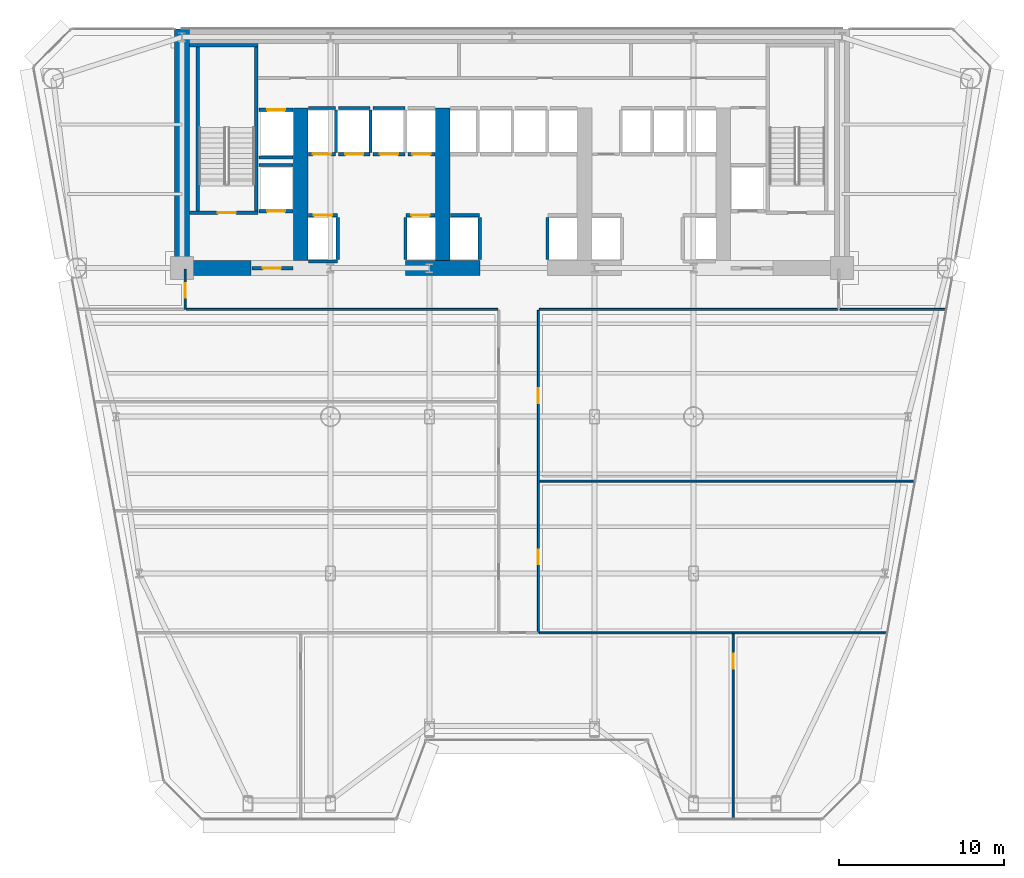
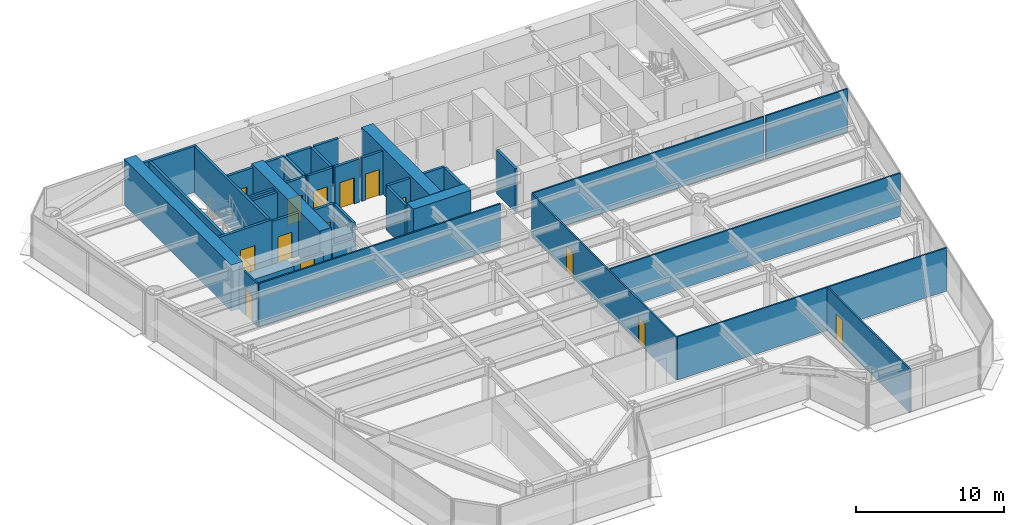
# One storey, part 8 of 14: 39 walls, 14 doors, 14 openings.
"""IFC4 building model written with IfcOpenShell, lengths in metres."""

from ifc_helpers import new_model, si_unit, direction, frame, frame_2d, origin, place, context, subcontext, project, spatial, rectangle, extrude, source, transform, mapped, material, layer, layer_set, type_object, element, fill, save


model = new_model("IFC4")

# Units and contexts
model_context = context("Model", 3, precision=1e-05, world=origin(), true_north=direction((0.0, 1.0)))
body_context = subcontext(model_context, "Body", "Model", "MODEL_VIEW")
ifc_project = project(units=[si_unit("LENGTHUNIT", "METRE"), si_unit("AREAUNIT", "SQUARE_METRE"), si_unit("VOLUMEUNIT", "CUBIC_METRE"), si_unit("PLANEANGLEUNIT", "RADIAN"), si_unit("MASSUNIT", "GRAM", prefix="KILO")], contexts=[model_context])

# Site, building, storey
site_placement = place(None, origin())
site = spatial("IfcSite", under=ifc_project, at=site_placement, CompositionType="ELEMENT")
building_placement = place(site_placement, origin())
building = spatial("IfcBuilding", under=site, at=building_placement, Name="Vaeldorn Concourse Tower", CompositionType="ELEMENT")
storey_placement = place(building_placement, frame((0.0, 0.0, 68.199951171875)))
storey = spatial("IfcBuildingStorey", under=building, at=storey_placement, Name="L17", CompositionType="ELEMENT", Elevation=68.199951171875)

# Walls
ifc_material_1 = material(Name="Concrete C60/75", Category="concrete")
ifc_layer_1 = layer(ifc_material_1, 0.89990234375)
ifc_layer_set_1 = layer_set([ifc_layer_1], Name="Concrete C60/75")
wall_type_1 = type_object("IfcWallType", Name="WL-CORE-900", PredefinedType="SHEAR", material=ifc_layer_set_1)
wall_1_placement = place(storey_placement, frame((14.0, 36.5, 0.0), z_axis=(0.0, 0.0, 1.0), x_axis=(0.0, 1.0, 0.0)))
element("IfcWall", 1, at=wall_1_placement, inside=storey, type_object=wall_type_1, Name="Rear Core Shear Wall L17 W1", PredefinedType="SHEAR", context=body_context, shape_type="SweptSolid", body=[
    extrude(rectangle(XDim=14.5, YDim=0.89990234375, at=frame_2d((7.25, 0.0))), origin(), (0.0, 0.0, 1.0), 3.800048828125),
])
wall_2_placement = place(storey_placement, frame((14.469970703125, 36.5, 0.0), z_axis=(0.0, 0.0, 1.0), x_axis=(1.0, 0.0, 0.0)))
element("IfcWall", 2, at=wall_2_placement, inside=storey, type_object=wall_type_1, Name="Rear Core Shear Wall L17 S1", PredefinedType="SHEAR", context=body_context, shape_type="SweptSolid", body=[
    extrude(rectangle(XDim=3.72998046875, YDim=0.89990234375, at=frame_2d((1.864990234375, 0.0))), origin(), (0.0, 0.0, 1.0), 2.380126953125),
])
wall_3_placement = place(storey_placement, frame((27.550048828125, 36.5, 0.0), z_axis=(0.0, 0.0, 1.0), x_axis=(1.0, 0.0, 0.0)))
element("IfcWall", 3, at=wall_3_placement, inside=storey, type_object=wall_type_1, Name="Rear Core Shear Wall L17 S2", PredefinedType="SHEAR", context=body_context, shape_type="SweptSolid", body=[
    extrude(rectangle(XDim=4.5, YDim=0.89990234375, at=frame_2d((2.25, 0.0))), origin(), (0.0, 0.0, 1.0), 3.800048828125),
])
for number, where, z_axis, x_axis, name in (
    (4, (21.199951171875, 36.969970703125, 0.0), (0.0, 0.0, 1.0), (0.0, 1.0, 0.0), "Rear Core Shear Wall L17 M1"),
    (5, (29.800048828125, 36.969970703125, 0.0), (0.0, 0.0, 1.0), (0.0, 1.0, 0.0), "Rear Core Shear Wall L17 M2"),
):
    element("IfcWall", number, at=place(storey_placement, frame(where, z_axis=z_axis, x_axis=x_axis)), inside=storey, type_object=wall_type_1, Name=name, PredefinedType="SHEAR", context=body_context, shape_type="SweptSolid", body=[
        extrude(rectangle(XDim=9.22998046875, YDim=0.89990234375, at=frame_2d((4.614990234375, 0.0))), origin(), (0.0, 0.0, 1.0), 3.800048828125),
    ])
ifc_material_2 = material(Name="Gypsum Board Partition", Category="gypsum")
ifc_layer_2 = layer(ifc_material_2, 0.1201171875)
ifc_layer_set_2 = layer_set([ifc_layer_2], Name="Gypsum Board Partition")
wall_type_2 = type_object("IfcWallType", Name="WL-PART-120", PredefinedType="PARTITIONING", material=ifc_layer_set_2)
wall_4_placement = place(storey_placement, frame((14.260009765625, 34.0, 0.0), z_axis=(0.0, 0.0, 1.0), x_axis=(1.0, 0.0, 0.0)))
element("IfcWall", 6, at=wall_4_placement, inside=storey, type_object=wall_type_2, Name="Interior Wall PW-L17-C3SW", PredefinedType="PARTITIONING", context=body_context, shape_type="SweptSolid", body=[
    extrude(rectangle(XDim=18.8798828125, YDim=0.1201171875, at=frame_2d((9.43994140625, 0.0))), origin(), (0.0, 0.0, 1.0), 3.580078125),
])
wall_5_placement = place(storey_placement, frame((35.659912109375, 34.0, 0.0), z_axis=(0.0, 0.0, 1.0), x_axis=(1.0, 0.0, 0.0)))
element("IfcWall", 7, at=wall_5_placement, inside=storey, type_object=wall_type_2, Name="Interior Wall PW-L17-C3SE", PredefinedType="PARTITIONING", context=body_context, shape_type="SweptSolid", body=[
    extrude(rectangle(XDim=18.080078125, YDim=0.1201171875, at=frame_2d((9.0400390625, 0.0))), origin(), (0.0, 0.0, 1.0), 3.580078125),
])

# Wall, opening, door
wall_6_placement = place(storey_placement, frame((14.199951171875, 34.0, 0.0), z_axis=(0.0, 0.0, 1.0), x_axis=(0.0, 1.0, 0.0)))
wall_6 = element("IfcWall", 8, at=wall_6_placement, inside=storey, type_object=wall_type_2, Name="Interior Wall PW-L17-C3W", PredefinedType="PARTITIONING", context=body_context, shape_type="SweptSolid", body=[
    extrude(rectangle(XDim=2.43994140625, YDim=0.1201171875, at=frame_2d((1.219970703125, 0.0))), origin(), (0.0, 0.0, 1.0), 3.580078125),
])
opening_1_placement = place(wall_6_placement, frame((0.699951171875, 0.0, 0.0)))
opening_1 = element("IfcOpeningElement", 9, at=opening_1_placement, cuts=wall_6, Name="Opening D-03", PredefinedType="OPENING", context=body_context, shape_type="SweptSolid", body=[
    extrude(rectangle(XDim=0.89990234375, YDim=2.14990234375, at=frame_2d((0.449951171875, 1.074951171875))), frame((0.0, 0.070068359375, 0.0), z_axis=(0.0, -1.0, 0.0), x_axis=(1.0, 0.0, 0.0)), (0.0, 0.0, 1.0), 0.14013671875),
])
ifc_material_3 = material(Name="Acoustic Bronze-Framed Glass Door", Category="glass")
door_type_1 = type_object("IfcDoorType", Name="DR-INT-900", OperationType="NOTDEFINED", PredefinedType="DOOR", material=ifc_material_3)
shared_shape_1 = source(origin(), body_context, "Body", "SweptSolid", [
    extrude(rectangle(XDim=0.89990234375, YDim=2.14990234375, at=frame_2d((0.449951171875, 1.074951171875))), frame((0.0, 0.02490234375, 0.0), z_axis=(0.0, -1.0, 0.0), x_axis=(1.0, 0.0, 0.0)), (0.0, 0.0, 1.0), 0.050048828125),
])
door_1_placement = place(opening_1_placement, origin())
door_1 = element("IfcDoor", 10, at=door_1_placement, inside=storey, type_object=door_type_1, Name="Interior Door DR-L17-Z3NW", OperationType="SINGLE_SWING_LEFT", OverallHeight=2.14990234375, OverallWidth=0.89990234375, PredefinedType="DOOR", context=body_context, shape_type="MappedRepresentation", body=[
    mapped(shared_shape_1, transform((0.0, 0.0, 0.0), scale=1.0)),
])
fill(opening_1, door_1)

# Wall, openings, doors
wall_7_placement = place(storey_placement, frame((35.60009765625, 14.39990234375, 0.0), z_axis=(0.0, 0.0, 1.0), x_axis=(0.0, 1.0, 0.0)))
wall_7 = element("IfcWall", 11, at=wall_7_placement, inside=storey, type_object=wall_type_2, Name="Interior Wall PW-L17-CSPE", PredefinedType="PARTITIONING", context=body_context, shape_type="SweptSolid", body=[
    extrude(rectangle(XDim=19.5400390625, YDim=0.1201171875, at=frame_2d((9.77001953125, 0.0))), origin(), (0.0, 0.0, 1.0), 3.580078125),
])
opening_2_placement = place(wall_7_placement, frame((4.14990234375, 0.0, 0.0)))
opening_2 = element("IfcOpeningElement", 12, at=opening_2_placement, cuts=wall_7, Name="Opening D-03", PredefinedType="OPENING", context=body_context, shape_type="SweptSolid", body=[
    extrude(rectangle(XDim=0.89990234375, YDim=2.14990234375, at=frame_2d((0.449951171875, 1.074951171875))), frame((0.0, 0.070068359375, 0.0), z_axis=(0.0, -1.0, 0.0), x_axis=(1.0, 0.0, 0.0)), (0.0, 0.0, 1.0), 0.14013671875),
])
opening_3_placement = place(wall_7_placement, frame((13.919921875, 0.0, 0.0)))
opening_3 = element("IfcOpeningElement", 13, at=opening_3_placement, cuts=wall_7, Name="Opening D-03", PredefinedType="OPENING", context=body_context, shape_type="SweptSolid", body=[
    extrude(rectangle(XDim=0.89990234375, YDim=2.14990234375, at=frame_2d((0.449951171875, 1.074951171875))), frame((0.0, 0.070068359375, 0.0), z_axis=(0.0, -1.0, 0.0), x_axis=(1.0, 0.0, 0.0)), (0.0, 0.0, 1.0), 0.14013671875),
])
door_2_placement = place(opening_2_placement, origin())
door_2 = element("IfcDoor", 14, at=door_2_placement, inside=storey, type_object=door_type_1, Name="Interior Door DR-L17-Z3E1", OperationType="SINGLE_SWING_RIGHT", OverallHeight=2.14990234375, OverallWidth=0.89990234375, PredefinedType="DOOR", context=body_context, shape_type="MappedRepresentation", body=[
    mapped(shared_shape_1, transform((0.0, 0.0, 0.0), scale=1.0)),
])
fill(opening_2, door_2)
door_3_placement = place(opening_3_placement, origin())
door_3 = element("IfcDoor", 15, at=door_3_placement, inside=storey, type_object=door_type_1, Name="Interior Door DR-L17-Z3E2", OperationType="SINGLE_SWING_LEFT", OverallHeight=2.14990234375, OverallWidth=0.89990234375, PredefinedType="DOOR", context=body_context, shape_type="MappedRepresentation", body=[
    mapped(shared_shape_1, transform((0.0, 0.0, 0.0), scale=1.0)),
])
fill(opening_3, door_3)

# Walls
wall_8_placement = place(storey_placement, frame((53.860107421875, 34.0, 0.0), z_axis=(0.0, 0.0, 1.0), x_axis=(1.0, 0.0, 0.0)))
element("IfcWall", 16, at=wall_8_placement, inside=storey, type_object=wall_type_2, Name="Interior Wall PW-L17-Z3NEB", PredefinedType="PARTITIONING", context=body_context, shape_type="SweptSolid", body=[
    extrude(rectangle(XDim=6.416748046875, YDim=0.1201171875, at=frame_2d((3.20849609375, 0.0))), origin(), (0.0, 0.0, 1.0), 3.580078125),
])
wall_9_placement = place(storey_placement, frame((35.659912109375, 23.60009765625, 0.0), z_axis=(0.0, 0.0, 1.0), x_axis=(1.0, 0.0, 0.0)))
element("IfcWall", 17, at=wall_9_placement, inside=storey, type_object=wall_type_2, Name="Interior Wall PW-L17-Z3EY1", PredefinedType="PARTITIONING", context=body_context, shape_type="SweptSolid", body=[
    extrude(rectangle(XDim=22.718505859375, YDim=0.1201171875, at=frame_2d((11.359375, 0.0))), origin(), (0.0, 0.0, 1.0), 3.580078125),
])
wall_10_placement = place(storey_placement, frame((35.659912109375, 14.39990234375, 0.0), z_axis=(0.0, 0.0, 1.0), x_axis=(1.0, 0.0, 0.0)))
element("IfcWall", 18, at=wall_10_placement, inside=storey, type_object=wall_type_2, Name="Interior Wall PW-L17-Z3SEL", PredefinedType="PARTITIONING", context=body_context, shape_type="SweptSolid", body=[
    extrude(rectangle(XDim=21.039306640625, YDim=0.1201171875, at=frame_2d((10.51953125, 0.0))), origin(), (0.0, 0.0, 1.0), 3.580078125),
])

# Wall, opening, door
wall_11_placement = place(storey_placement, frame((47.39990234375, 3.14794921875, 0.0), z_axis=(0.0, 0.0, 1.0), x_axis=(0.0, 1.0, 0.0)))
wall_11 = element("IfcWall", 19, at=wall_11_placement, inside=storey, type_object=wall_type_2, Name="Interior Wall PW-L17-Z3SX2", PredefinedType="PARTITIONING", context=body_context, shape_type="SweptSolid", body=[
    extrude(rectangle(XDim=11.192138671875, YDim=0.1201171875, at=frame_2d((5.59619140625, 0.0))), origin(), (0.0, 0.0, 1.0), 3.580078125),
])
opening_4_placement = place(wall_11_placement, frame((9.092041015625, 0.0, 0.0)))
opening_4 = element("IfcOpeningElement", 20, at=opening_4_placement, cuts=wall_11, Name="Opening D-03", PredefinedType="OPENING", context=body_context, shape_type="SweptSolid", body=[
    extrude(rectangle(XDim=0.89990234375, YDim=2.14990234375, at=frame_2d((0.449951171875, 1.074951171875))), frame((0.0, 0.070068359375, 0.0), z_axis=(0.0, -1.0, 0.0), x_axis=(1.0, 0.0, 0.0)), (0.0, 0.0, 1.0), 0.14013671875),
])
door_4_placement = place(opening_4_placement, origin())
door_4 = element("IfcDoor", 21, at=door_4_placement, inside=storey, type_object=door_type_1, Name="Interior Door DR-L17-Z3SX2", OperationType="SINGLE_SWING_LEFT", OverallHeight=2.14990234375, OverallWidth=0.89990234375, PredefinedType="DOOR", context=body_context, shape_type="MappedRepresentation", body=[
    mapped(shared_shape_1, transform((0.0, 0.0, 0.0), scale=1.0)),
])
fill(opening_4, door_4)

ifc_material_4 = material(Name="Concrete C50/60", Category="concrete")
ifc_layer_3 = layer(ifc_material_4, 0.199951171875)
ifc_layer_set_3 = layer_set([ifc_layer_3], Name="Concrete C50/60")
wall_type_3 = type_object("IfcWallType", Name="WL-SHAFT-200", PredefinedType="SOLIDWALL", material=ifc_layer_set_3)
wall_12_placement = place(storey_placement, frame((14.449951171875, 39.85009765625, 0.0), z_axis=(0.0, 0.0, 1.0), x_axis=(1.0, 0.0, 0.0)))
wall_12 = element("IfcWall", 22, at=wall_12_placement, inside=storey, type_object=wall_type_3, Name="Stair Shaft Wall CW-L17-ST-1-S", PredefinedType="SOLIDWALL", context=body_context, shape_type="SweptSolid", body=[
    extrude(rectangle(XDim=4.150146484375, YDim=0.199951171875, at=frame_2d((2.0751953125, 0.0))), origin(), (0.0, 0.0, 1.0), 3.800048828125),
])
opening_5_placement = place(wall_12_placement, frame((1.72509765625, 0.0, 0.0)))
opening_5 = element("IfcOpeningElement", 23, at=opening_5_placement, cuts=wall_12, Name="Opening D-01", PredefinedType="OPENING", context=body_context, shape_type="SweptSolid", body=[
    extrude(rectangle(XDim=1.10009765625, YDim=2.14990234375, at=frame_2d((0.550048828125, 1.074951171875))), frame((0.0, 0.10986328125, 0.0), z_axis=(0.0, -1.0, 0.0), x_axis=(1.0, 0.0, 0.0)), (0.0, 0.0, 1.0), 0.219970703125),
])
ifc_material_5 = material(Name="Fire-Rated Timber and Steel Leaf", Category="steel")
door_type_2 = type_object("IfcDoorType", Name="DR-FD60-1100", OperationType="NOTDEFINED", PredefinedType="DOOR", material=ifc_material_5)
shared_shape_2 = source(origin(), body_context, "Body", "SweptSolid", [
    extrude(rectangle(XDim=1.10009765625, YDim=2.14990234375, at=frame_2d((0.550048828125, 1.074951171875))), frame((0.0, 0.02490234375, 0.0), z_axis=(0.0, -1.0, 0.0), x_axis=(1.0, 0.0, 0.0)), (0.0, 0.0, 1.0), 0.050048828125),
])
door_5_placement = place(opening_5_placement, origin())
door_5 = element("IfcDoor", 24, at=door_5_placement, inside=storey, type_object=door_type_2, Name="Interior Door DR-L17-ST-1", OperationType="SINGLE_SWING_LEFT", OverallHeight=2.14990234375, OverallWidth=1.10009765625, PredefinedType="DOOR", context=body_context, shape_type="MappedRepresentation", body=[
    mapped(shared_shape_2, transform((0.0, 0.0, 0.0), scale=1.0)),
])
fill(opening_5, door_5)

# Walls
wall_13_placement = place(storey_placement, frame((14.449951171875, 50.0, 0.0), z_axis=(0.0, 0.0, 1.0), x_axis=(1.0, 0.0, 0.0)))
element("IfcWall", 25, at=wall_13_placement, inside=storey, type_object=wall_type_3, Name="Stair Shaft Wall CW-L17-ST-1-N", PredefinedType="SOLIDWALL", context=body_context, shape_type="SweptSolid", body=[
    extrude(rectangle(XDim=4.150146484375, YDim=0.199951171875, at=frame_2d((2.0751953125, 0.0))), origin(), (0.0, 0.0, 1.0), 3.800048828125),
])
for number, where, z_axis, x_axis, name in (
    (26, (14.949951171875, 39.9599609375, 0.0), (0.0, 0.0, 1.0), (0.0, 1.0, 0.0), "Stair Shaft Wall CW-L17-ST-1-W"),
    (27, (18.5, 39.9599609375, 0.0), (0.0, 0.0, 1.0), (0.0, 1.0, 0.0), "Stair Shaft Wall CW-L17-ST-1-E"),
):
    element("IfcWall", number, at=place(storey_placement, frame(where, z_axis=z_axis, x_axis=x_axis)), inside=storey, type_object=wall_type_3, Name=name, PredefinedType="SOLIDWALL", context=body_context, shape_type="SweptSolid", body=[
        extrude(rectangle(XDim=9.929931640625, YDim=0.199951171875, at=frame_2d((4.96484375, 0.0))), origin(), (0.0, 0.0, 1.0), 3.800048828125),
    ])

# Wall, opening, door
wall_14_placement = place(storey_placement, frame((18.25, 36.5, 0.0), z_axis=(0.0, 0.0, 1.0), x_axis=(1.0, 0.0, 0.0)))
wall_14 = element("IfcWall", 28, at=wall_14_placement, inside=storey, type_object=wall_type_3, Name="Interior Wall CW-L17-FF1S", PredefinedType="SOLIDWALL", context=body_context, shape_type="SweptSolid", body=[
    extrude(rectangle(XDim=2.469970703125, YDim=0.199951171875, at=frame_2d((1.23486328125, 0.0))), origin(), (0.0, 0.0, 1.0), 2.3701171875),
])
opening_6_placement = place(wall_14_placement, frame((0.64990234375, 0.0, 0.0)))
opening_6 = element("IfcOpeningElement", 29, at=opening_6_placement, cuts=wall_14, Name="Opening D-01", PredefinedType="OPENING", context=body_context, shape_type="SweptSolid", body=[
    extrude(rectangle(XDim=1.10009765625, YDim=2.14990234375, at=frame_2d((0.550048828125, 1.074951171875))), frame((0.0, 0.10986328125, 0.0), z_axis=(0.0, -1.0, 0.0), x_axis=(1.0, 0.0, 0.0)), (0.0, 0.0, 1.0), 0.219970703125),
])
door_6_placement = place(opening_6_placement, origin())
door_6 = element("IfcDoor", 30, at=door_6_placement, inside=storey, type_object=door_type_2, Name="Interior Door DR-L17-FF1E", OperationType="SINGLE_SWING_RIGHT", OverallHeight=2.14990234375, OverallWidth=1.10009765625, PredefinedType="DOOR", context=body_context, shape_type="MappedRepresentation", body=[
    mapped(shared_shape_2, transform((0.0, 0.0, 0.0), scale=1.0)),
])
fill(opening_6, door_6)

wall_15_placement = place(storey_placement, frame((21.659912109375, 39.699951171875, 0.0), z_axis=(0.0, 0.0, 1.0), x_axis=(1.0, 0.0, 0.0)))
wall_15 = element("IfcWall", 31, at=wall_15_placement, inside=storey, type_object=wall_type_3, Name="Interior Wall CW-L17-LF-LF-01", PredefinedType="SOLIDWALL", context=body_context, shape_type="SweptSolid", body=[
    extrude(rectangle(XDim=1.77001953125, YDim=0.199951171875, at=frame_2d((0.885009765625, 0.0))), origin(), (0.0, 0.0, 1.0), 3.580078125),
])
opening_7_placement = place(wall_15_placement, frame((0.3349609375, 0.0, 0.0)))
opening_7 = element("IfcOpeningElement", 32, at=opening_7_placement, cuts=wall_15, Name="Opening LD-1", PredefinedType="OPENING", context=body_context, shape_type="SweptSolid", body=[
    extrude(rectangle(XDim=1.10009765625, YDim=2.14990234375, at=frame_2d((0.550048828125, 1.074951171875))), frame((0.0, 0.10986328125, 0.0), z_axis=(0.0, -1.0, 0.0), x_axis=(1.0, 0.0, 0.0)), (0.0, 0.0, 1.0), 0.219970703125),
])
ifc_material_6 = material(Name="Anodised Bronze Aluminium", Category="aluminium")
door_type_3 = type_object("IfcDoorType", Name="DR-LIFT-SLIDE-1100", OperationType="DOUBLE_DOOR_SLIDING", PredefinedType="DOOR", material=ifc_material_6)
door_7_placement = place(opening_7_placement, origin())
door_7 = element("IfcDoor", 33, at=door_7_placement, inside=storey, type_object=door_type_3, Name="Lift Landing Door LD-L17-LF-01", OperationType="DOUBLE_DOOR_SLIDING", OverallHeight=2.14990234375, OverallWidth=1.10009765625, PredefinedType="DOOR", context=body_context, shape_type="MappedRepresentation", body=[
    mapped(shared_shape_2, transform((0.0, 0.0, 0.0), scale=1.0)),
])
fill(opening_7, door_7)

# Walls
wall_16_placement = place(storey_placement, frame((21.659912109375, 36.89990234375, 0.0), z_axis=(0.0, 0.0, 1.0), x_axis=(1.0, 0.0, 0.0)))
element("IfcWall", 34, at=wall_16_placement, inside=storey, type_object=wall_type_3, Name="Interior Wall CW-L17-LFB-LF-01", PredefinedType="SOLIDWALL", context=body_context, shape_type="SweptSolid", body=[
    extrude(rectangle(XDim=1.77001953125, YDim=0.199951171875, at=frame_2d((0.885009765625, 0.0))), origin(), (0.0, 0.0, 1.0), 2.3701171875),
])
wall_17_placement = place(storey_placement, frame((23.449951171875, 37.02001953125, 0.0), z_axis=(0.0, 0.0, 1.0), x_axis=(0.0, 1.0, 0.0)))
element("IfcWall", 35, at=wall_17_placement, inside=storey, type_object=wall_type_3, Name="Interior Wall CW-L17-LFE-LF-01", PredefinedType="SOLIDWALL", context=body_context, shape_type="SweptSolid", body=[
    extrude(rectangle(XDim=2.56005859375, YDim=0.199951171875, at=frame_2d((1.280029296875, 0.0))), origin(), (0.0, 0.0, 1.0), 3.580078125),
])

# Wall, opening, door
wall_18_placement = place(storey_placement, frame((27.570068359375, 39.699951171875, 0.0), z_axis=(0.0, 0.0, 1.0), x_axis=(1.0, 0.0, 0.0)))
wall_18 = element("IfcWall", 36, at=wall_18_placement, inside=storey, type_object=wall_type_3, Name="Interior Wall CW-L17-LF-LF-02", PredefinedType="SOLIDWALL", context=body_context, shape_type="SweptSolid", body=[
    extrude(rectangle(XDim=1.77001953125, YDim=0.199951171875, at=frame_2d((0.885009765625, 0.0))), origin(), (0.0, 0.0, 1.0), 3.580078125),
])
opening_8_placement = place(wall_18_placement, frame((0.3349609375, 0.0, 0.0)))
opening_8 = element("IfcOpeningElement", 37, at=opening_8_placement, cuts=wall_18, Name="Opening LD-1", PredefinedType="OPENING", context=body_context, shape_type="SweptSolid", body=[
    extrude(rectangle(XDim=1.10009765625, YDim=2.14990234375, at=frame_2d((0.550048828125, 1.074951171875))), frame((0.0, 0.10986328125, 0.0), z_axis=(0.0, -1.0, 0.0), x_axis=(1.0, 0.0, 0.0)), (0.0, 0.0, 1.0), 0.219970703125),
])
door_8_placement = place(opening_8_placement, origin())
door_8 = element("IfcDoor", 38, at=door_8_placement, inside=storey, type_object=door_type_3, Name="Lift Landing Door LD-L17-LF-02", OperationType="DOUBLE_DOOR_SLIDING", OverallHeight=2.14990234375, OverallWidth=1.10009765625, PredefinedType="DOOR", context=body_context, shape_type="MappedRepresentation", body=[
    mapped(shared_shape_2, transform((0.0, 0.0, 0.0), scale=1.0)),
])
fill(opening_8, door_8)

# Wall
wall_19_placement = place(storey_placement, frame((27.550048828125, 37.02001953125, 0.0), z_axis=(0.0, 0.0, 1.0), x_axis=(0.0, 1.0, 0.0)))
element("IfcWall", 39, at=wall_19_placement, inside=storey, type_object=wall_type_3, Name="Interior Wall CW-L17-LFW-LF-02", PredefinedType="SOLIDWALL", context=body_context, shape_type="SweptSolid", body=[
    extrude(rectangle(XDim=2.56005859375, YDim=0.199951171875, at=frame_2d((1.280029296875, 0.0))), origin(), (0.0, 0.0, 1.0), 3.580078125),
])

# Wall, opening, door
wall_20_placement = place(storey_placement, frame((21.659912109375, 43.39990234375, 0.0), z_axis=(0.0, 0.0, 1.0), x_axis=(1.0, 0.0, 0.0)))
wall_20 = element("IfcWall", 40, at=wall_20_placement, inside=storey, type_object=wall_type_3, Name="Interior Wall CW-L17-LF-LF-03", PredefinedType="SOLIDWALL", context=body_context, shape_type="SweptSolid", body=[
    extrude(rectangle(XDim=1.650146484375, YDim=0.199951171875, at=frame_2d((0.8251953125, 0.0))), origin(), (0.0, 0.0, 1.0), 3.580078125),
])
opening_9_placement = place(wall_20_placement, frame((0.27490234375, 0.0, 0.0)))
opening_9 = element("IfcOpeningElement", 41, at=opening_9_placement, cuts=wall_20, Name="Opening LD-1", PredefinedType="OPENING", context=body_context, shape_type="SweptSolid", body=[
    extrude(rectangle(XDim=1.10009765625, YDim=2.14990234375, at=frame_2d((0.550048828125, 1.074951171875))), frame((0.0, 0.10986328125, 0.0), z_axis=(0.0, -1.0, 0.0), x_axis=(1.0, 0.0, 0.0)), (0.0, 0.0, 1.0), 0.219970703125),
])
door_9_placement = place(opening_9_placement, origin())
door_9 = element("IfcDoor", 42, at=door_9_placement, inside=storey, type_object=door_type_3, Name="Lift Landing Door LD-L17-LF-03", OperationType="DOUBLE_DOOR_SLIDING", OverallHeight=2.14990234375, OverallWidth=1.10009765625, PredefinedType="DOOR", context=body_context, shape_type="MappedRepresentation", body=[
    mapped(shared_shape_2, transform((0.0, 0.0, 0.0), scale=1.0)),
])
fill(opening_9, door_9)

# Walls
wall_21_placement = place(storey_placement, frame((21.659912109375, 46.199951171875, 0.0), z_axis=(0.0, 0.0, 1.0), x_axis=(1.0, 0.0, 0.0)))
element("IfcWall", 43, at=wall_21_placement, inside=storey, type_object=wall_type_3, Name="Interior Wall CW-L17-LFB-LF-03", PredefinedType="SOLIDWALL", context=body_context, shape_type="SweptSolid", body=[
    extrude(rectangle(XDim=1.650146484375, YDim=0.199951171875, at=frame_2d((0.8251953125, 0.0))), origin(), (0.0, 0.0, 1.0), 3.580078125),
])
wall_22_placement = place(storey_placement, frame((23.330078125, 43.52001953125, 0.0), z_axis=(0.0, 0.0, 1.0), x_axis=(0.0, 1.0, 0.0)))
element("IfcWall", 44, at=wall_22_placement, inside=storey, type_object=wall_type_3, Name="Interior Wall CW-L17-LFE-LF-03", PredefinedType="SOLIDWALL", context=body_context, shape_type="SweptSolid", body=[
    extrude(rectangle(XDim=2.56005859375, YDim=0.199951171875, at=frame_2d((1.280029296875, 0.0))), origin(), (0.0, 0.0, 1.0), 3.580078125),
])

# Wall, opening, door
wall_23_placement = place(storey_placement, frame((23.489990234375, 43.39990234375, 0.0), z_axis=(0.0, 0.0, 1.0), x_axis=(1.0, 0.0, 0.0)))
wall_23 = element("IfcWall", 45, at=wall_23_placement, inside=storey, type_object=wall_type_3, Name="Interior Wall CW-L17-LF-LF-04", PredefinedType="SOLIDWALL", context=body_context, shape_type="SweptSolid", body=[
    extrude(rectangle(XDim=1.919921875, YDim=0.199951171875, at=frame_2d((0.9599609375, 0.0))), origin(), (0.0, 0.0, 1.0), 3.580078125),
])
opening_10_placement = place(wall_23_placement, frame((0.409912109375, 0.0, 0.0)))
opening_10 = element("IfcOpeningElement", 46, at=opening_10_placement, cuts=wall_23, Name="Opening LD-1", PredefinedType="OPENING", context=body_context, shape_type="SweptSolid", body=[
    extrude(rectangle(XDim=1.10009765625, YDim=2.14990234375, at=frame_2d((0.550048828125, 1.074951171875))), frame((0.0, 0.10986328125, 0.0), z_axis=(0.0, -1.0, 0.0), x_axis=(1.0, 0.0, 0.0)), (0.0, 0.0, 1.0), 0.219970703125),
])
door_10_placement = place(opening_10_placement, origin())
door_10 = element("IfcDoor", 47, at=door_10_placement, inside=storey, type_object=door_type_3, Name="Lift Landing Door LD-L17-LF-04", OperationType="DOUBLE_DOOR_SLIDING", OverallHeight=2.14990234375, OverallWidth=1.10009765625, PredefinedType="DOOR", context=body_context, shape_type="MappedRepresentation", body=[
    mapped(shared_shape_2, transform((0.0, 0.0, 0.0), scale=1.0)),
])
fill(opening_10, door_10)

# Walls
wall_24_placement = place(storey_placement, frame((23.489990234375, 46.199951171875, 0.0), z_axis=(0.0, 0.0, 1.0), x_axis=(1.0, 0.0, 0.0)))
element("IfcWall", 48, at=wall_24_placement, inside=storey, type_object=wall_type_3, Name="Interior Wall CW-L17-LFB-LF-04", PredefinedType="SOLIDWALL", context=body_context, shape_type="SweptSolid", body=[
    extrude(rectangle(XDim=1.919921875, YDim=0.199951171875, at=frame_2d((0.9599609375, 0.0))), origin(), (0.0, 0.0, 1.0), 3.580078125),
])
wall_25_placement = place(storey_placement, frame((25.429931640625, 43.52001953125, 0.0), z_axis=(0.0, 0.0, 1.0), x_axis=(0.0, 1.0, 0.0)))
element("IfcWall", 49, at=wall_25_placement, inside=storey, type_object=wall_type_3, Name="Interior Wall CW-L17-LFE-LF-04", PredefinedType="SOLIDWALL", context=body_context, shape_type="SweptSolid", body=[
    extrude(rectangle(XDim=2.56005859375, YDim=0.199951171875, at=frame_2d((1.280029296875, 0.0))), origin(), (0.0, 0.0, 1.0), 3.580078125),
])

# Wall, opening, door
wall_26_placement = place(storey_placement, frame((25.590087890625, 43.39990234375, 0.0), z_axis=(0.0, 0.0, 1.0), x_axis=(1.0, 0.0, 0.0)))
wall_26 = element("IfcWall", 50, at=wall_26_placement, inside=storey, type_object=wall_type_3, Name="Interior Wall CW-L17-LF-LF-05", PredefinedType="SOLIDWALL", context=body_context, shape_type="SweptSolid", body=[
    extrude(rectangle(XDim=1.919921875, YDim=0.199951171875, at=frame_2d((0.9599609375, 0.0))), origin(), (0.0, 0.0, 1.0), 3.580078125),
])
opening_11_placement = place(wall_26_placement, frame((0.409912109375, 0.0, 0.0)))
opening_11 = element("IfcOpeningElement", 51, at=opening_11_placement, cuts=wall_26, Name="Opening LD-1", PredefinedType="OPENING", context=body_context, shape_type="SweptSolid", body=[
    extrude(rectangle(XDim=1.10009765625, YDim=2.14990234375, at=frame_2d((0.550048828125, 1.074951171875))), frame((0.0, 0.10986328125, 0.0), z_axis=(0.0, -1.0, 0.0), x_axis=(1.0, 0.0, 0.0)), (0.0, 0.0, 1.0), 0.219970703125),
])
door_11_placement = place(opening_11_placement, origin())
door_11 = element("IfcDoor", 52, at=door_11_placement, inside=storey, type_object=door_type_3, Name="Lift Landing Door LD-L17-LF-05", OperationType="DOUBLE_DOOR_SLIDING", OverallHeight=2.14990234375, OverallWidth=1.10009765625, PredefinedType="DOOR", context=body_context, shape_type="MappedRepresentation", body=[
    mapped(shared_shape_2, transform((0.0, 0.0, 0.0), scale=1.0)),
])
fill(opening_11, door_11)

# Wall
wall_27_placement = place(storey_placement, frame((25.590087890625, 46.199951171875, 0.0), z_axis=(0.0, 0.0, 1.0), x_axis=(1.0, 0.0, 0.0)))
element("IfcWall", 53, at=wall_27_placement, inside=storey, type_object=wall_type_3, Name="Interior Wall CW-L17-LFB-LF-05", PredefinedType="SOLIDWALL", context=body_context, shape_type="SweptSolid", body=[
    extrude(rectangle(XDim=1.919921875, YDim=0.199951171875, at=frame_2d((0.9599609375, 0.0))), origin(), (0.0, 0.0, 1.0), 3.580078125),
])

# Wall, opening, door
wall_28_placement = place(storey_placement, frame((27.68994140625, 43.39990234375, 0.0), z_axis=(0.0, 0.0, 1.0), x_axis=(1.0, 0.0, 0.0)))
wall_28 = element("IfcWall", 54, at=wall_28_placement, inside=storey, type_object=wall_type_3, Name="Interior Wall CW-L17-LF-LF-06", PredefinedType="SOLIDWALL", context=body_context, shape_type="SweptSolid", body=[
    extrude(rectangle(XDim=1.650146484375, YDim=0.199951171875, at=frame_2d((0.8251953125, 0.0))), origin(), (0.0, 0.0, 1.0), 3.580078125),
])
opening_12_placement = place(wall_28_placement, frame((0.27490234375, 0.0, 0.0)))
opening_12 = element("IfcOpeningElement", 55, at=opening_12_placement, cuts=wall_28, Name="Opening LD-1", PredefinedType="OPENING", context=body_context, shape_type="SweptSolid", body=[
    extrude(rectangle(XDim=1.10009765625, YDim=2.14990234375, at=frame_2d((0.550048828125, 1.074951171875))), frame((0.0, 0.10986328125, 0.0), z_axis=(0.0, -1.0, 0.0), x_axis=(1.0, 0.0, 0.0)), (0.0, 0.0, 1.0), 0.219970703125),
])
door_12_placement = place(opening_12_placement, origin())
door_12 = element("IfcDoor", 56, at=door_12_placement, inside=storey, type_object=door_type_3, Name="Lift Landing Door LD-L17-LF-06", OperationType="DOUBLE_DOOR_SLIDING", OverallHeight=2.14990234375, OverallWidth=1.10009765625, PredefinedType="DOOR", context=body_context, shape_type="MappedRepresentation", body=[
    mapped(shared_shape_2, transform((0.0, 0.0, 0.0), scale=1.0)),
])
fill(opening_12, door_12)

# Walls
wall_29_placement = place(storey_placement, frame((30.260009765625, 39.699951171875, 0.0), z_axis=(0.0, 0.0, 1.0), x_axis=(1.0, 0.0, 0.0)))
element("IfcWall", 57, at=wall_29_placement, inside=storey, type_object=wall_type_3, Name="Interior Wall CW-L17-LF-LF-07", PredefinedType="SOLIDWALL", context=body_context, shape_type="SweptSolid", body=[
    extrude(rectangle(XDim=1.77001953125, YDim=0.199951171875, at=frame_2d((0.885009765625, 0.0))), origin(), (0.0, 0.0, 1.0), 3.580078125),
])
for number, where, z_axis, x_axis, name in (
    (58, (32.050048828125, 37.02001953125, 0.0), (0.0, 0.0, 1.0), (0.0, 1.0, 0.0), "Interior Wall CW-L17-LFE-LF-07"),
    (59, (36.14990234375, 37.02001953125, 0.0), (0.0, 0.0, 1.0), (0.0, 1.0, 0.0), "Interior Wall CW-L17-LFW-LF-08"),
):
    element("IfcWall", number, at=place(storey_placement, frame(where, z_axis=z_axis, x_axis=x_axis)), inside=storey, type_object=wall_type_3, Name=name, PredefinedType="SOLIDWALL", context=body_context, shape_type="SweptSolid", body=[
        extrude(rectangle(XDim=2.56005859375, YDim=0.199951171875, at=frame_2d((1.280029296875, 0.0))), origin(), (0.0, 0.0, 1.0), 3.580078125),
    ])

# Wall, opening, door
wall_30_placement = place(storey_placement, frame((18.669921875, 46.10009765625, 0.0), z_axis=(0.0, 0.0, 1.0), x_axis=(1.0, 0.0, 0.0)))
wall_30 = element("IfcWall", 60, at=wall_30_placement, inside=storey, type_object=wall_type_3, Name="Interior Wall CW-L17-LF-LF-SV1", PredefinedType="SOLIDWALL", context=body_context, shape_type="SweptSolid", body=[
    extrude(rectangle(XDim=2.070068359375, YDim=0.199951171875, at=frame_2d((1.03515625, 0.0))), origin(), (0.0, 0.0, 1.0), 3.580078125),
])
opening_13_placement = place(wall_30_placement, frame((0.485107421875, 0.0, 0.0)))
opening_13 = element("IfcOpeningElement", 61, at=opening_13_placement, cuts=wall_30, Name="Opening LD-1", PredefinedType="OPENING", context=body_context, shape_type="SweptSolid", body=[
    extrude(rectangle(XDim=1.10009765625, YDim=2.14990234375, at=frame_2d((0.550048828125, 1.074951171875))), frame((0.0, 0.10986328125, 0.0), z_axis=(0.0, -1.0, 0.0), x_axis=(1.0, 0.0, 0.0)), (0.0, 0.0, 1.0), 0.219970703125),
])
door_13_placement = place(opening_13_placement, origin())
door_13 = element("IfcDoor", 62, at=door_13_placement, inside=storey, type_object=door_type_3, Name="Lift Landing Door LD-L17-LF-SV1", OperationType="DOUBLE_DOOR_SLIDING", OverallHeight=2.14990234375, OverallWidth=1.10009765625, PredefinedType="DOOR", context=body_context, shape_type="MappedRepresentation", body=[
    mapped(shared_shape_2, transform((0.0, 0.0, 0.0), scale=1.0)),
])
fill(opening_13, door_13)

# Wall
wall_31_placement = place(storey_placement, frame((18.669921875, 43.199951171875, 0.0), z_axis=(0.0, 0.0, 1.0), x_axis=(1.0, 0.0, 0.0)))
element("IfcWall", 63, at=wall_31_placement, inside=storey, type_object=wall_type_3, Name="Interior Wall CW-L17-LFB-LF-SV1", PredefinedType="SOLIDWALL", context=body_context, shape_type="SweptSolid", body=[
    extrude(rectangle(XDim=2.070068359375, YDim=0.199951171875, at=frame_2d((1.03515625, 0.0))), origin(), (0.0, 0.0, 1.0), 3.580078125),
])

# Wall, opening, door
wall_32_placement = place(storey_placement, frame((18.669921875, 39.949951171875, 0.0), z_axis=(0.0, 0.0, 1.0), x_axis=(1.0, 0.0, 0.0)))
wall_32 = element("IfcWall", 64, at=wall_32_placement, inside=storey, type_object=wall_type_3, Name="Interior Wall CW-L17-LF-LF-FF1", PredefinedType="SOLIDWALL", context=body_context, shape_type="SweptSolid", body=[
    extrude(rectangle(XDim=2.070068359375, YDim=0.199951171875, at=frame_2d((1.03515625, 0.0))), origin(), (0.0, 0.0, 1.0), 3.580078125),
])
opening_14_placement = place(wall_32_placement, frame((0.485107421875, 0.0, 0.0)))
opening_14 = element("IfcOpeningElement", 65, at=opening_14_placement, cuts=wall_32, Name="Opening LD-1", PredefinedType="OPENING", context=body_context, shape_type="SweptSolid", body=[
    extrude(rectangle(XDim=1.10009765625, YDim=2.14990234375, at=frame_2d((0.550048828125, 1.074951171875))), frame((0.0, 0.10986328125, 0.0), z_axis=(0.0, -1.0, 0.0), x_axis=(1.0, 0.0, 0.0)), (0.0, 0.0, 1.0), 0.219970703125),
])
door_14_placement = place(opening_14_placement, origin())
door_14 = element("IfcDoor", 66, at=door_14_placement, inside=storey, type_object=door_type_3, Name="Lift Landing Door LD-L17-LF-FF1", OperationType="DOUBLE_DOOR_SLIDING", OverallHeight=2.14990234375, OverallWidth=1.10009765625, PredefinedType="DOOR", context=body_context, shape_type="MappedRepresentation", body=[
    mapped(shared_shape_2, transform((0.0, 0.0, 0.0), scale=1.0)),
])
fill(opening_14, door_14)

# Wall
wall_33_placement = place(storey_placement, frame((18.669921875, 42.75, 0.0), z_axis=(0.0, 0.0, 1.0), x_axis=(1.0, 0.0, 0.0)))
element("IfcWall", 67, at=wall_33_placement, inside=storey, type_object=wall_type_3, Name="Interior Wall CW-L17-LFB-LF-FF1", PredefinedType="SOLIDWALL", context=body_context, shape_type="SweptSolid", body=[
    extrude(rectangle(XDim=2.070068359375, YDim=0.199951171875, at=frame_2d((1.03515625, 0.0))), origin(), (0.0, 0.0, 1.0), 3.580078125),
])

save(model, "model.ifc")
